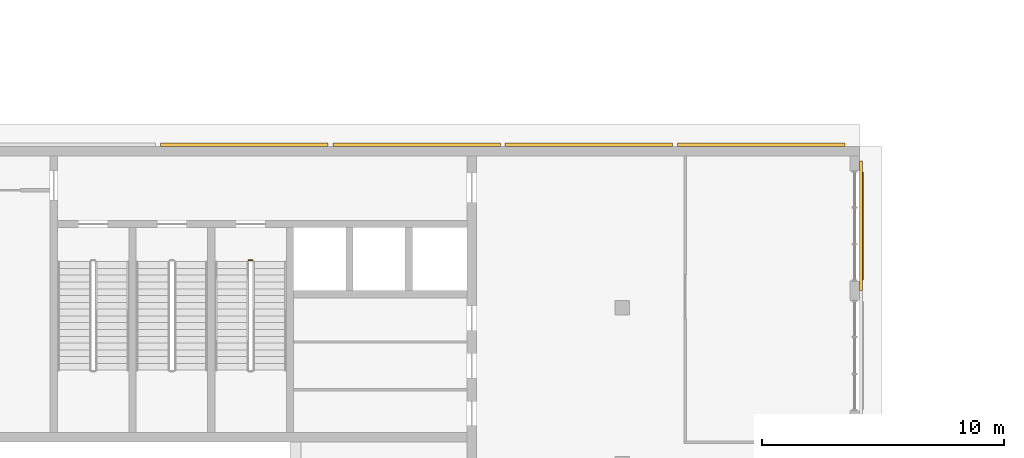
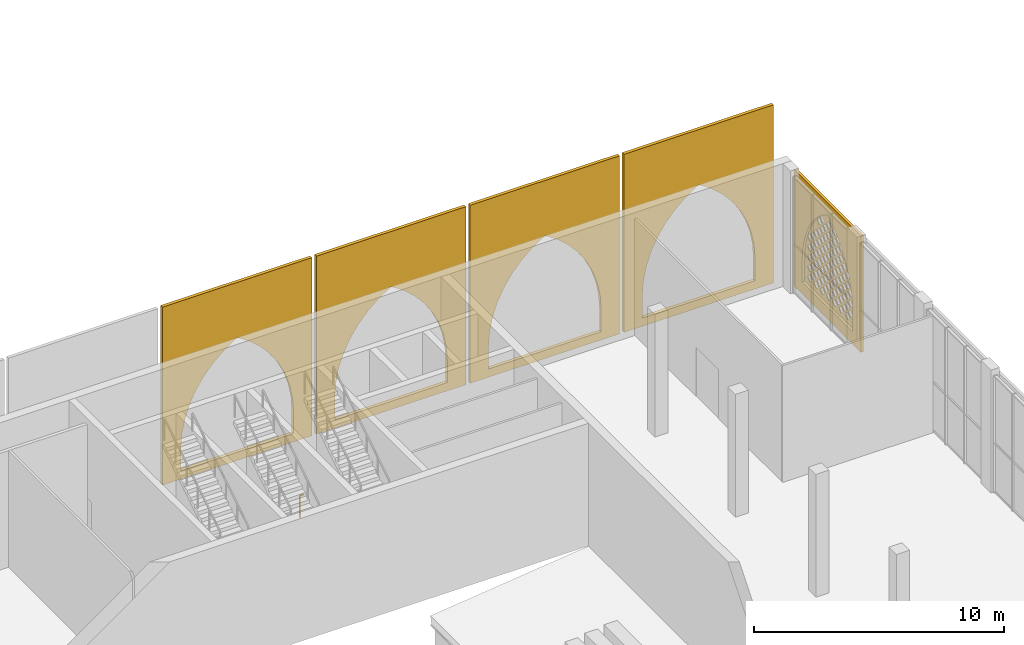
# One storey, part 50 of 74: 6 coverings, 1 railing.
"""IFC4 building model written with IfcOpenShell, lengths in metres."""

from ifc_helpers import new_model, si_unit, direction, frame, origin, origin_2d, place, context, subcontext, project, spatial, polyline, rectangle, outline, extrude, material, layer, layer_set, type_object, element, save


model = new_model("IFC4")

# Units and contexts
model_context = context("Model", 3, precision=1e-05, world=origin(), true_north=direction((0.0, 1.0)))
body_context = subcontext(model_context, "Body", "Model", "MODEL_VIEW")
ifc_project = project(units=[si_unit("LENGTHUNIT", "METRE"), si_unit("AREAUNIT", "SQUARE_METRE"), si_unit("VOLUMEUNIT", "CUBIC_METRE"), si_unit("PLANEANGLEUNIT", "RADIAN"), si_unit("MASSUNIT", "GRAM", prefix="KILO")], contexts=[model_context])

# Site, building, storey
site_placement = place(None, origin())
site = spatial("IfcSite", under=ifc_project, at=site_placement, CompositionType="ELEMENT")
building_placement = place(site_placement, origin())
building = spatial("IfcBuilding", under=site, at=building_placement, Name="Noorbagh Ring Tower", CompositionType="ELEMENT")
storey_placement = place(building_placement, frame((0.0, 0.0, 13.5)))
storey = spatial("IfcBuildingStorey", under=building, at=storey_placement, Name="L02", CompositionType="ELEMENT", Elevation=13.5)

# Coverings
ifc_material_1 = material(Name="Red sandstone cladding", Category="masonry")
ifc_layer_1 = layer(ifc_material_1, 0.14990234375)
ifc_layer_set_1 = layer_set([ifc_layer_1], Name="Red sandstone cladding")
covering_type_1 = type_object("IfcCoveringType", Name="STH-BLIND", PredefinedType="USERDEFINED", material=ifc_layer_set_1)
covering_1_placement = place(storey_placement, frame((-95.60009765625, 31.14990234375, 0.0), z_axis=(0.0, 1.0, 0.0), x_axis=(-1.0, 0.0, 0.0)))
element("IfcCovering", 1, at=covering_1_placement, inside=storey, type_object=covering_type_1, Name="Blind arch bay", ObjectType="ARCH", PredefinedType="USERDEFINED", context=body_context, shape_type="SweptSolid", body=[
    extrude(outline(polyline([(0.0, 0.0), (6.910888671875, 0.0), (6.910888671875, 8.699951171875), (0.0, 8.699951171875), (0.0, 0.0)]), holes=[polyline([(0.855712890625, 0.39990234375), (0.855712890625, 1.5), (0.900146484375, 2.1787109375), (1.03271484375, 2.845947265625), (1.25146484375, 3.489990234375), (1.55224609375, 4.10009765625), (1.93017578125, 4.66552734375), (2.378662109375, 5.177001953125), (2.889892578125, 5.62548828125), (3.45556640625, 6.00341796875), (4.021240234375, 5.62548828125), (4.53271484375, 5.177001953125), (4.98095703125, 4.66552734375), (5.35888671875, 4.10009765625), (5.659912109375, 3.489990234375), (5.87841796875, 2.845947265625), (6.010986328125, 2.1787109375), (6.0556640625, 1.5), (6.0556640625, 0.39990234375), (0.855712890625, 0.39990234375)])]), origin(), (0.0, 0.0, -1.0), 0.14990234375),
])
for number, where, z_axis, x_axis, name in (
    (2, (-102.711181640625, 31.14990234375, 0.0), (0.0, 1.0, 0.0), (-1.0, 0.0, 0.0), "Blind arch bay"),
    (3, (-109.822265625, 31.14990234375, 0.0), (0.0, 1.0, 0.0), (-1.0, 0.0, 0.0), "Blind arch bay"),
    (4, (-116.933349609375, 31.14990234375, 0.0), (0.0, 1.0, 0.0), (-1.0, 0.0, 0.0), "Blind arch bay"),
):
    element("IfcCovering", number, at=place(storey_placement, frame(where, z_axis=z_axis, x_axis=x_axis)), inside=storey, type_object=covering_type_1, Name=name, ObjectType="ARCH", PredefinedType="USERDEFINED", context=body_context, shape_type="SweptSolid", body=[
        extrude(outline(polyline([(0.0, 0.0), (6.9111328125, 0.0), (6.9111328125, 8.699951171875), (0.0, 8.699951171875), (0.0, 0.0)]), holes=[polyline([(0.855712890625, 0.39990234375), (0.855712890625, 1.5), (0.900146484375, 2.1787109375), (1.03271484375, 2.845947265625), (1.25146484375, 3.489990234375), (1.55224609375, 4.10009765625), (1.93017578125, 4.66552734375), (2.378662109375, 5.177001953125), (2.889892578125, 5.62548828125), (3.45556640625, 6.00341796875), (4.021240234375, 5.62548828125), (4.53271484375, 5.177001953125), (4.98095703125, 4.66552734375), (5.35888671875, 4.10009765625), (5.659912109375, 3.489990234375), (5.87841796875, 2.845947265625), (6.010986328125, 2.1787109375), (6.0556640625, 1.5), (6.0556640625, 0.39990234375), (0.855712890625, 0.39990234375)])]), origin(), (0.0, 0.0, -1.0), 0.14990234375),
    ])
ifc_material_2 = material(Name="Red sandstone jali", Category="masonry")
ifc_layer_2 = layer(ifc_material_2, 0.0400390625)
ifc_layer_set_2 = layer_set([ifc_layer_2], Name="Red sandstone jali")
covering_type_2 = type_object("IfcCoveringType", Name="STH-JALI", PredefinedType="USERDEFINED", material=ifc_layer_set_2)
covering_2_placement = place(storey_placement, frame((-94.840087890625, 25.5, 0.39990234375), z_axis=(1.0, 0.0, 0.0), x_axis=(0.0, 1.0, 0.0)))
element("IfcCovering", 5, at=covering_2_placement, inside=storey, type_object=covering_type_2, Name="Jali screen", ObjectType="SCREEN", PredefinedType="USERDEFINED", context=body_context, shape_type="SweptSolid", body=[
    extrude(outline(polyline([(0.0, 0.0), (4.449951171875, 0.0), (4.449951171875, 1.0), (4.411865234375, 1.580810546875), (4.29833984375, 2.15185546875), (4.111328125, 2.702880859375), (3.853759765625, 3.22509765625), (3.530517578125, 3.708984375), (3.146484375, 4.146728515625), (2.708984375, 4.530517578125), (2.22509765625, 4.85400390625), (1.740966796875, 4.530517578125), (1.303466796875, 4.146728515625), (0.919677734375, 3.708984375), (0.59619140625, 3.22509765625), (0.338623046875, 2.702880859375), (0.151611328125, 2.15185546875), (0.0380859375, 1.580810546875), (0.0, 1.0), (0.0, 0.0)]), holes=[polyline([(0.669921875, 0.552001953125), (0.85009765625, 0.371826171875), (1.030029296875, 0.552001953125), (0.85009765625, 0.73193359375), (0.669921875, 0.552001953125)]), polyline([(1.169921875, 0.552001953125), (1.35009765625, 0.371826171875), (1.530029296875, 0.552001953125), (1.35009765625, 0.73193359375), (1.169921875, 0.552001953125)]), polyline([(1.669921875, 0.552001953125), (1.85009765625, 0.371826171875), (2.030029296875, 0.552001953125), (1.85009765625, 0.73193359375), (1.669921875, 0.552001953125)]), polyline([(2.169921875, 0.552001953125), (2.35009765625, 0.371826171875), (2.530029296875, 0.552001953125), (2.35009765625, 0.73193359375), (2.169921875, 0.552001953125)]), polyline([(2.669921875, 0.552001953125), (2.85009765625, 0.371826171875), (3.030029296875, 0.552001953125), (2.85009765625, 0.73193359375), (2.669921875, 0.552001953125)]), polyline([(3.169921875, 0.552001953125), (3.35009765625, 0.371826171875), (3.530029296875, 0.552001953125), (3.35009765625, 0.73193359375), (3.169921875, 0.552001953125)]), polyline([(3.669921875, 0.552001953125), (3.85009765625, 0.371826171875), (4.030029296875, 0.552001953125), (3.85009765625, 0.73193359375), (3.669921875, 0.552001953125)]), polyline([(0.419921875, 0.802001953125), (0.60009765625, 0.621826171875), (0.780029296875, 0.802001953125), (0.60009765625, 0.98193359375), (0.419921875, 0.802001953125)]), polyline([(0.919921875, 0.802001953125), (1.10009765625, 0.621826171875), (1.280029296875, 0.802001953125), (1.10009765625, 0.98193359375), (0.919921875, 0.802001953125)]), polyline([(1.419921875, 0.802001953125), (1.60009765625, 0.621826171875), (1.780029296875, 0.802001953125), (1.60009765625, 0.98193359375), (1.419921875, 0.802001953125)]), polyline([(1.919921875, 0.802001953125), (2.10009765625, 0.621826171875), (2.280029296875, 0.802001953125), (2.10009765625, 0.98193359375), (1.919921875, 0.802001953125)]), polyline([(2.419921875, 0.802001953125), (2.60009765625, 0.621826171875), (2.780029296875, 0.802001953125), (2.60009765625, 0.98193359375), (2.419921875, 0.802001953125)]), polyline([(2.919921875, 0.802001953125), (3.10009765625, 0.621826171875), (3.280029296875, 0.802001953125), (3.10009765625, 0.98193359375), (2.919921875, 0.802001953125)]), polyline([(3.419921875, 0.802001953125), (3.60009765625, 0.621826171875), (3.780029296875, 0.802001953125), (3.60009765625, 0.98193359375), (3.419921875, 0.802001953125)]), polyline([(0.669921875, 1.052001953125), (0.85009765625, 0.871826171875), (1.030029296875, 1.052001953125), (0.85009765625, 1.23193359375), (0.669921875, 1.052001953125)]), polyline([(1.169921875, 1.052001953125), (1.35009765625, 0.871826171875), (1.530029296875, 1.052001953125), (1.35009765625, 1.23193359375), (1.169921875, 1.052001953125)]), polyline([(1.669921875, 1.052001953125), (1.85009765625, 0.871826171875), (2.030029296875, 1.052001953125), (1.85009765625, 1.23193359375), (1.669921875, 1.052001953125)]), polyline([(2.169921875, 1.052001953125), (2.35009765625, 0.871826171875), (2.530029296875, 1.052001953125), (2.35009765625, 1.23193359375), (2.169921875, 1.052001953125)]), polyline([(2.669921875, 1.052001953125), (2.85009765625, 0.871826171875), (3.030029296875, 1.052001953125), (2.85009765625, 1.23193359375), (2.669921875, 1.052001953125)]), polyline([(3.169921875, 1.052001953125), (3.35009765625, 0.871826171875), (3.530029296875, 1.052001953125), (3.35009765625, 1.23193359375), (3.169921875, 1.052001953125)]), polyline([(3.669921875, 1.052001953125), (3.85009765625, 0.871826171875), (4.030029296875, 1.052001953125), (3.85009765625, 1.23193359375), (3.669921875, 1.052001953125)]), polyline([(0.419921875, 1.302001953125), (0.60009765625, 1.121826171875), (0.780029296875, 1.302001953125), (0.60009765625, 1.48193359375), (0.419921875, 1.302001953125)]), polyline([(0.919921875, 1.302001953125), (1.10009765625, 1.121826171875), (1.280029296875, 1.302001953125), (1.10009765625, 1.48193359375), (0.919921875, 1.302001953125)]), polyline([(1.419921875, 1.302001953125), (1.60009765625, 1.121826171875), (1.780029296875, 1.302001953125), (1.60009765625, 1.48193359375), (1.419921875, 1.302001953125)]), polyline([(1.919921875, 1.302001953125), (2.10009765625, 1.121826171875), (2.280029296875, 1.302001953125), (2.10009765625, 1.48193359375), (1.919921875, 1.302001953125)]), polyline([(2.419921875, 1.302001953125), (2.60009765625, 1.121826171875), (2.780029296875, 1.302001953125), (2.60009765625, 1.48193359375), (2.419921875, 1.302001953125)]), polyline([(2.919921875, 1.302001953125), (3.10009765625, 1.121826171875), (3.280029296875, 1.302001953125), (3.10009765625, 1.48193359375), (2.919921875, 1.302001953125)]), polyline([(3.419921875, 1.302001953125), (3.60009765625, 1.121826171875), (3.780029296875, 1.302001953125), (3.60009765625, 1.48193359375), (3.419921875, 1.302001953125)]), polyline([(0.669921875, 1.552001953125), (0.85009765625, 1.371826171875), (1.030029296875, 1.552001953125), (0.85009765625, 1.73193359375), (0.669921875, 1.552001953125)]), polyline([(1.169921875, 1.552001953125), (1.35009765625, 1.371826171875), (1.530029296875, 1.552001953125), (1.35009765625, 1.73193359375), (1.169921875, 1.552001953125)]), polyline([(1.669921875, 1.552001953125), (1.85009765625, 1.371826171875), (2.030029296875, 1.552001953125), (1.85009765625, 1.73193359375), (1.669921875, 1.552001953125)]), polyline([(2.169921875, 1.552001953125), (2.35009765625, 1.371826171875), (2.530029296875, 1.552001953125), (2.35009765625, 1.73193359375), (2.169921875, 1.552001953125)]), polyline([(2.669921875, 1.552001953125), (2.85009765625, 1.371826171875), (3.030029296875, 1.552001953125), (2.85009765625, 1.73193359375), (2.669921875, 1.552001953125)]), polyline([(3.169921875, 1.552001953125), (3.35009765625, 1.371826171875), (3.530029296875, 1.552001953125), (3.35009765625, 1.73193359375), (3.169921875, 1.552001953125)]), polyline([(3.669921875, 1.552001953125), (3.85009765625, 1.371826171875), (4.030029296875, 1.552001953125), (3.85009765625, 1.73193359375), (3.669921875, 1.552001953125)]), polyline([(0.419921875, 1.802001953125), (0.60009765625, 1.621826171875), (0.780029296875, 1.802001953125), (0.60009765625, 1.98193359375), (0.419921875, 1.802001953125)]), polyline([(0.919921875, 1.802001953125), (1.10009765625, 1.621826171875), (1.280029296875, 1.802001953125), (1.10009765625, 1.98193359375), (0.919921875, 1.802001953125)]), polyline([(1.419921875, 1.802001953125), (1.60009765625, 1.621826171875), (1.780029296875, 1.802001953125), (1.60009765625, 1.98193359375), (1.419921875, 1.802001953125)]), polyline([(1.919921875, 1.802001953125), (2.10009765625, 1.621826171875), (2.280029296875, 1.802001953125), (2.10009765625, 1.98193359375), (1.919921875, 1.802001953125)]), polyline([(2.419921875, 1.802001953125), (2.60009765625, 1.621826171875), (2.780029296875, 1.802001953125), (2.60009765625, 1.98193359375), (2.419921875, 1.802001953125)]), polyline([(2.919921875, 1.802001953125), (3.10009765625, 1.621826171875), (3.280029296875, 1.802001953125), (3.10009765625, 1.98193359375), (2.919921875, 1.802001953125)]), polyline([(3.419921875, 1.802001953125), (3.60009765625, 1.621826171875), (3.780029296875, 1.802001953125), (3.60009765625, 1.98193359375), (3.419921875, 1.802001953125)]), polyline([(0.669921875, 2.052001953125), (0.85009765625, 1.871826171875), (1.030029296875, 2.052001953125), (0.85009765625, 2.23193359375), (0.669921875, 2.052001953125)]), polyline([(1.169921875, 2.052001953125), (1.35009765625, 1.871826171875), (1.530029296875, 2.052001953125), (1.35009765625, 2.23193359375), (1.169921875, 2.052001953125)]), polyline([(1.669921875, 2.052001953125), (1.85009765625, 1.871826171875), (2.030029296875, 2.052001953125), (1.85009765625, 2.23193359375), (1.669921875, 2.052001953125)]), polyline([(2.169921875, 2.052001953125), (2.35009765625, 1.871826171875), (2.530029296875, 2.052001953125), (2.35009765625, 2.23193359375), (2.169921875, 2.052001953125)]), polyline([(2.669921875, 2.052001953125), (2.85009765625, 1.871826171875), (3.030029296875, 2.052001953125), (2.85009765625, 2.23193359375), (2.669921875, 2.052001953125)]), polyline([(3.169921875, 2.052001953125), (3.35009765625, 1.871826171875), (3.530029296875, 2.052001953125), (3.35009765625, 2.23193359375), (3.169921875, 2.052001953125)]), polyline([(3.669921875, 2.052001953125), (3.85009765625, 1.871826171875), (4.030029296875, 2.052001953125), (3.85009765625, 2.23193359375), (3.669921875, 2.052001953125)]), polyline([(0.419921875, 2.302001953125), (0.60009765625, 2.121826171875), (0.780029296875, 2.302001953125), (0.60009765625, 2.48193359375), (0.419921875, 2.302001953125)]), polyline([(0.919921875, 2.302001953125), (1.10009765625, 2.121826171875), (1.280029296875, 2.302001953125), (1.10009765625, 2.48193359375), (0.919921875, 2.302001953125)]), polyline([(1.419921875, 2.302001953125), (1.60009765625, 2.121826171875), (1.780029296875, 2.302001953125), (1.60009765625, 2.48193359375), (1.419921875, 2.302001953125)]), polyline([(1.919921875, 2.302001953125), (2.10009765625, 2.121826171875), (2.280029296875, 2.302001953125), (2.10009765625, 2.48193359375), (1.919921875, 2.302001953125)]), polyline([(2.419921875, 2.302001953125), (2.60009765625, 2.121826171875), (2.780029296875, 2.302001953125), (2.60009765625, 2.48193359375), (2.419921875, 2.302001953125)]), polyline([(2.919921875, 2.302001953125), (3.10009765625, 2.121826171875), (3.280029296875, 2.302001953125), (3.10009765625, 2.48193359375), (2.919921875, 2.302001953125)]), polyline([(3.419921875, 2.302001953125), (3.60009765625, 2.121826171875), (3.780029296875, 2.302001953125), (3.60009765625, 2.48193359375), (3.419921875, 2.302001953125)]), polyline([(0.669921875, 2.552001953125), (0.85009765625, 2.371826171875), (1.030029296875, 2.552001953125), (0.85009765625, 2.73193359375), (0.669921875, 2.552001953125)]), polyline([(1.169921875, 2.552001953125), (1.35009765625, 2.371826171875), (1.530029296875, 2.552001953125), (1.35009765625, 2.73193359375), (1.169921875, 2.552001953125)]), polyline([(1.669921875, 2.552001953125), (1.85009765625, 2.371826171875), (2.030029296875, 2.552001953125), (1.85009765625, 2.73193359375), (1.669921875, 2.552001953125)]), polyline([(2.169921875, 2.552001953125), (2.35009765625, 2.371826171875), (2.530029296875, 2.552001953125), (2.35009765625, 2.73193359375), (2.169921875, 2.552001953125)]), polyline([(2.669921875, 2.552001953125), (2.85009765625, 2.371826171875), (3.030029296875, 2.552001953125), (2.85009765625, 2.73193359375), (2.669921875, 2.552001953125)]), polyline([(3.169921875, 2.552001953125), (3.35009765625, 2.371826171875), (3.530029296875, 2.552001953125), (3.35009765625, 2.73193359375), (3.169921875, 2.552001953125)]), polyline([(3.669921875, 2.552001953125), (3.85009765625, 2.371826171875), (4.030029296875, 2.552001953125), (3.85009765625, 2.73193359375), (3.669921875, 2.552001953125)]), polyline([(0.919921875, 2.802001953125), (1.10009765625, 2.621826171875), (1.280029296875, 2.802001953125), (1.10009765625, 2.98193359375), (0.919921875, 2.802001953125)]), polyline([(1.419921875, 2.802001953125), (1.60009765625, 2.621826171875), (1.780029296875, 2.802001953125), (1.60009765625, 2.98193359375), (1.419921875, 2.802001953125)]), polyline([(1.919921875, 2.802001953125), (2.10009765625, 2.621826171875), (2.280029296875, 2.802001953125), (2.10009765625, 2.98193359375), (1.919921875, 2.802001953125)]), polyline([(2.419921875, 2.802001953125), (2.60009765625, 2.621826171875), (2.780029296875, 2.802001953125), (2.60009765625, 2.98193359375), (2.419921875, 2.802001953125)]), polyline([(2.919921875, 2.802001953125), (3.10009765625, 2.621826171875), (3.280029296875, 2.802001953125), (3.10009765625, 2.98193359375), (2.919921875, 2.802001953125)]), polyline([(3.419921875, 2.802001953125), (3.60009765625, 2.621826171875), (3.780029296875, 2.802001953125), (3.60009765625, 2.98193359375), (3.419921875, 2.802001953125)]), polyline([(0.669921875, 3.052001953125), (0.85009765625, 2.871826171875), (1.030029296875, 3.052001953125), (0.85009765625, 3.23193359375), (0.669921875, 3.052001953125)]), polyline([(1.169921875, 3.052001953125), (1.35009765625, 2.871826171875), (1.530029296875, 3.052001953125), (1.35009765625, 3.23193359375), (1.169921875, 3.052001953125)]), polyline([(1.669921875, 3.052001953125), (1.85009765625, 2.871826171875), (2.030029296875, 3.052001953125), (1.85009765625, 3.23193359375), (1.669921875, 3.052001953125)]), polyline([(2.169921875, 3.052001953125), (2.35009765625, 2.871826171875), (2.530029296875, 3.052001953125), (2.35009765625, 3.23193359375), (2.169921875, 3.052001953125)]), polyline([(2.669921875, 3.052001953125), (2.85009765625, 2.871826171875), (3.030029296875, 3.052001953125), (2.85009765625, 3.23193359375), (2.669921875, 3.052001953125)]), polyline([(3.169921875, 3.052001953125), (3.35009765625, 2.871826171875), (3.530029296875, 3.052001953125), (3.35009765625, 3.23193359375), (3.169921875, 3.052001953125)]), polyline([(0.919921875, 3.302001953125), (1.10009765625, 3.121826171875), (1.280029296875, 3.302001953125), (1.10009765625, 3.48193359375), (0.919921875, 3.302001953125)]), polyline([(1.419921875, 3.302001953125), (1.60009765625, 3.121826171875), (1.780029296875, 3.302001953125), (1.60009765625, 3.48193359375), (1.419921875, 3.302001953125)]), polyline([(1.919921875, 3.302001953125), (2.10009765625, 3.121826171875), (2.280029296875, 3.302001953125), (2.10009765625, 3.48193359375), (1.919921875, 3.302001953125)]), polyline([(2.419921875, 3.302001953125), (2.60009765625, 3.121826171875), (2.780029296875, 3.302001953125), (2.60009765625, 3.48193359375), (2.419921875, 3.302001953125)]), polyline([(2.919921875, 3.302001953125), (3.10009765625, 3.121826171875), (3.280029296875, 3.302001953125), (3.10009765625, 3.48193359375), (2.919921875, 3.302001953125)]), polyline([(1.169921875, 3.552001953125), (1.35009765625, 3.371826171875), (1.530029296875, 3.552001953125), (1.35009765625, 3.73193359375), (1.169921875, 3.552001953125)]), polyline([(1.669921875, 3.552001953125), (1.85009765625, 3.371826171875), (2.030029296875, 3.552001953125), (1.85009765625, 3.73193359375), (1.669921875, 3.552001953125)]), polyline([(2.169921875, 3.552001953125), (2.35009765625, 3.371826171875), (2.530029296875, 3.552001953125), (2.35009765625, 3.73193359375), (2.169921875, 3.552001953125)]), polyline([(2.669921875, 3.552001953125), (2.85009765625, 3.371826171875), (3.030029296875, 3.552001953125), (2.85009765625, 3.73193359375), (2.669921875, 3.552001953125)]), polyline([(1.419921875, 3.802001953125), (1.60009765625, 3.621826171875), (1.780029296875, 3.802001953125), (1.60009765625, 3.98193359375), (1.419921875, 3.802001953125)]), polyline([(1.919921875, 3.802001953125), (2.10009765625, 3.621826171875), (2.280029296875, 3.802001953125), (2.10009765625, 3.98193359375), (1.919921875, 3.802001953125)]), polyline([(2.419921875, 3.802001953125), (2.60009765625, 3.621826171875), (2.780029296875, 3.802001953125), (2.60009765625, 3.98193359375), (2.419921875, 3.802001953125)]), polyline([(2.919921875, 3.802001953125), (3.10009765625, 3.621826171875), (3.280029296875, 3.802001953125), (3.10009765625, 3.98193359375), (2.919921875, 3.802001953125)]), polyline([(1.669921875, 4.052001953125), (1.85009765625, 3.871826171875), (2.030029296875, 4.052001953125), (1.85009765625, 4.23193359375), (1.669921875, 4.052001953125)]), polyline([(2.169921875, 4.052001953125), (2.35009765625, 3.871826171875), (2.530029296875, 4.052001953125), (2.35009765625, 4.23193359375), (2.169921875, 4.052001953125)]), polyline([(2.669921875, 4.052001953125), (2.85009765625, 3.871826171875), (3.030029296875, 4.052001953125), (2.85009765625, 4.23193359375), (2.669921875, 4.052001953125)]), polyline([(1.919921875, 4.302001953125), (2.10009765625, 4.121826171875), (2.280029296875, 4.302001953125), (2.10009765625, 4.48193359375), (1.919921875, 4.302001953125)])]), origin(), (0.0, 0.0, -1.0), 0.0400390625),
])
ifc_material_3 = material(Name="Red sandstone cladding", Category="masonry")
ifc_layer_3 = layer(ifc_material_3, 0.1201171875)
ifc_layer_set_3 = layer_set([ifc_layer_3], Name="Red sandstone cladding")
covering_type_3 = type_object("IfcCoveringType", Name="STH-SPANDREL", PredefinedType="USERDEFINED", material=ifc_layer_set_3)
covering_3_placement = place(storey_placement, frame((-94.8798828125, 25.050048828125, 0.0), z_axis=(1.0, 0.0, 0.0), x_axis=(0.0, 1.0, 0.0)))
element("IfcCovering", 6, at=covering_3_placement, inside=storey, type_object=covering_type_3, Name="Arch spandrel", ObjectType="ARCH", PredefinedType="USERDEFINED", context=body_context, shape_type="SweptSolid", body=[
    extrude(outline(polyline([(0.0, 0.0), (5.349853515625, 0.0), (5.349853515625, 5.699951171875), (0.0, 5.699951171875), (0.0, 0.0)]), holes=[polyline([(0.64990234375, 0.60009765625), (0.64990234375, 1.60009765625), (0.6845703125, 2.128662109375), (0.7880859375, 2.648193359375), (0.958251953125, 3.14990234375), (1.192626953125, 3.625), (1.48681640625, 4.0654296875), (1.836181640625, 4.4638671875), (2.234619140625, 4.81298828125), (2.675048828125, 5.107421875), (3.115478515625, 4.81298828125), (3.513916015625, 4.4638671875), (3.863037109375, 4.0654296875), (4.157470703125, 3.625), (4.3916015625, 3.14990234375), (4.56201171875, 2.648193359375), (4.665283203125, 2.128662109375), (4.699951171875, 1.60009765625), (4.699951171875, 0.60009765625), (0.64990234375, 0.60009765625)])]), origin(), (0.0, 0.0, -1.0), 0.1201171875),
])

# Railing
ifc_material_4 = material(Name="Stainless steel", Category="steel")
railing_type = type_object("IfcRailingType", Name="TH-STAIR-GUARD", PredefinedType="GUARDRAIL", material=ifc_material_4)
railing_placement = place(storey_placement, frame((-120.199951171875, 26.300048828125, 0.0)))
element("IfcRailing", 7, at=railing_placement, inside=storey, type_object=railing_type, Name="L02 TSN2 stair guard 4", PredefinedType="GUARDRAIL", context=body_context, shape_type="SweptSolid", body=[
    extrude(rectangle(XDim=0.048095703125, YDim=0.048095703125, at=origin_2d()), frame((0.0, 0.0, 1.076171875), z_axis=(1.0, 0.0, 0.0), x_axis=(0.0, 1.0, 0.0)), (0.0, 0.0, 1.0), 0.14990234375),
    extrude(rectangle(XDim=0.0419921875, YDim=0.0419921875, at=origin_2d()), origin(), (0.0, 0.0, 1.0), 1.052001953125),
])

save(model, "model.ifc")
